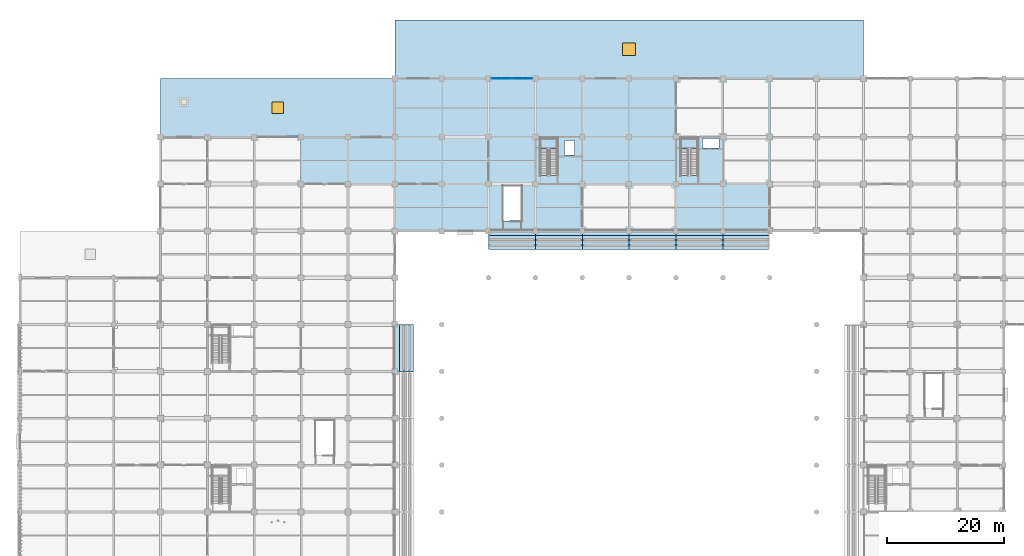
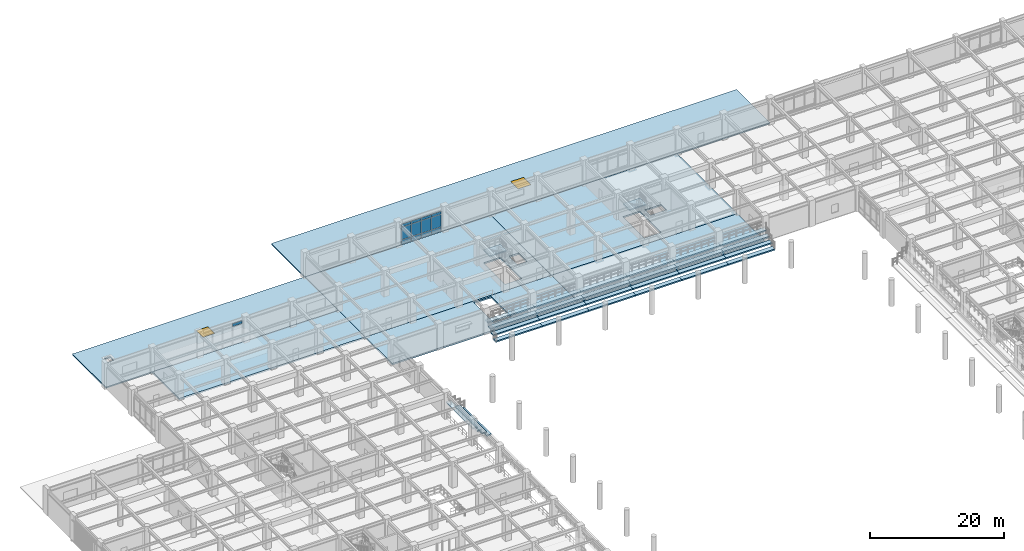
# One storey, part 67 of 117: 37 slabs, 13 plates, 2 windows, 2 openings, 4 elements without a shape of their own.
"""IFC4 building model written with IfcOpenShell, lengths in metres."""

from ifc_helpers import new_model, si_unit, direction, frame, origin, origin_2d, place, context, subcontext, project, spatial, polyline, rectangle, outline, extrude, material, layer, layer_set, type_object, element, fill, aggregate, save


model = new_model("IFC4")

# Units and contexts
model_context = context("Model", 3, precision=1e-05, world=origin(), true_north=direction((0.0, 1.0)))
body_context = subcontext(model_context, "Body", "Model", "MODEL_VIEW")
ifc_project = project(units=[si_unit("LENGTHUNIT", "METRE"), si_unit("AREAUNIT", "SQUARE_METRE"), si_unit("VOLUMEUNIT", "CUBIC_METRE"), si_unit("PLANEANGLEUNIT", "RADIAN"), si_unit("MASSUNIT", "GRAM", prefix="KILO")], contexts=[model_context])

# Site, building, storey
site_placement = place(None, origin())
site = spatial("IfcSite", under=ifc_project, at=site_placement, CompositionType="ELEMENT")
building_placement = place(site_placement, origin())
building = spatial("IfcBuilding", under=site, at=building_placement, Name="Haebicheon Civic Stadium", CompositionType="ELEMENT")
storey_placement = place(building_placement, frame((0.0, 0.0, 4.800048828125)))
storey = spatial("IfcBuildingStorey", under=building, at=storey_placement, Name="L02", CompositionType="ELEMENT", Elevation=4.800048828125)

# Curtain wall, plates
ifc_material_1 = material(Name="Anodised aluminium and laminated glass", Category="aluminium")
ifc_layer_1 = layer(ifc_material_1, 0.179931640625, Name="Anodised aluminium and laminated glass")
ifc_layer_set_1 = layer_set([ifc_layer_1], Name="Anodised aluminium and laminated glass")
curtain_wall_type_1 = type_object("IfcCurtainWallType", Name="CW-7000x3770", PredefinedType="NOTDEFINED", material=ifc_layer_set_1)
curtain_wall_1_placement = place(storey_placement, origin())
curtain_wall_1 = element("IfcCurtainWall", 1, at=curtain_wall_1_placement, inside=storey, type_object=curtain_wall_type_1, material=ifc_layer_set_1, Name="L02 unitised curtain wall 046", PredefinedType="NOTDEFINED")
ifc_material_2 = material(Name="Double low-e laminated glass", Category="glass")
ifc_layer_2 = layer(ifc_material_2, 0.028076171875, Name="Double low-e laminated glass")
ifc_layer_set_2 = layer_set([ifc_layer_2], Name="Double low-e laminated glass")
plate_type_1 = type_object("IfcPlateType", Name="CWP-GLZ-28", PredefinedType="CURTAIN_PANEL", material=ifc_layer_set_2)
plate_1_placement = place(storey_placement, frame((81.39208984375, 178.0, 0.93505859375), z_axis=(0.0, 0.0, 1.0), x_axis=(1.0, 0.0, 0.0)))
plate_1 = element("IfcPlate", 2, at=plate_1_placement, type_object=plate_type_1, material=ifc_layer_set_2, Name="CW-L02-046 vision panel 1.2", PredefinedType="CURTAIN_PANEL", context=body_context, shape_type="SweptSolid", body=[
    extrude(rectangle(XDim=1.64501953125, YDim=0.028076171875, at=origin_2d()), origin(), (0.0, 0.0, 1.0), 2.25),
])
plate_2_placement = place(storey_placement, frame((83.125, 178.0, 0.93505859375), z_axis=(0.0, 0.0, 1.0), x_axis=(1.0, 0.0, 0.0)))
plate_2 = element("IfcPlate", 3, at=plate_2_placement, type_object=plate_type_1, material=ifc_layer_set_2, Name="CW-L02-046 vision panel 2.2", PredefinedType="CURTAIN_PANEL", context=body_context, shape_type="SweptSolid", body=[
    extrude(rectangle(XDim=1.679931640625, YDim=0.028076171875, at=origin_2d()), origin(), (0.0, 0.0, 1.0), 2.25),
])
plate_3_placement = place(storey_placement, frame((84.875, 178.0, 0.93505859375), z_axis=(0.0, 0.0, 1.0), x_axis=(1.0, 0.0, 0.0)))
plate_3 = element("IfcPlate", 4, at=plate_3_placement, type_object=plate_type_1, material=ifc_layer_set_2, Name="CW-L02-046 vision panel 3.2", PredefinedType="CURTAIN_PANEL", context=body_context, shape_type="SweptSolid", body=[
    extrude(rectangle(XDim=1.679931640625, YDim=0.028076171875, at=origin_2d()), origin(), (0.0, 0.0, 1.0), 2.25),
])
plate_4_placement = place(storey_placement, frame((86.60791015625, 178.0, 0.93505859375), z_axis=(0.0, 0.0, 1.0), x_axis=(1.0, 0.0, 0.0)))
plate_4 = element("IfcPlate", 5, at=plate_4_placement, type_object=plate_type_1, material=ifc_layer_set_2, Name="CW-L02-046 vision panel 4.2", PredefinedType="CURTAIN_PANEL", context=body_context, shape_type="SweptSolid", body=[
    extrude(rectangle(XDim=1.64501953125, YDim=0.028076171875, at=origin_2d()), origin(), (0.0, 0.0, 1.0), 2.25),
])

# Curtain wall, plate
ifc_material_3 = material(Name="Anodised aluminium and laminated glass", Category="aluminium")
ifc_layer_3 = layer(ifc_material_3, 0.179931640625, Name="Anodised aluminium and laminated glass")
ifc_layer_set_3 = layer_set([ifc_layer_3], Name="Anodised aluminium and laminated glass")
curtain_wall_type_2 = type_object("IfcCurtainWallType", Name="CW-7000x3950", PredefinedType="NOTDEFINED", material=ifc_layer_set_3)
curtain_wall_2_placement = place(storey_placement, origin())
curtain_wall_2 = element("IfcCurtainWall", 6, at=curtain_wall_2_placement, inside=storey, type_object=curtain_wall_type_2, material=ifc_layer_set_3, Name="L02 unitised curtain wall 040", PredefinedType="NOTDEFINED")
ifc_material_4 = material(Name="Anodised aluminium 6063-T6", Category="aluminium")
ifc_layer_4 = layer(ifc_material_4, 0.053955078125, Name="Anodised aluminium 6063-T6")
ifc_layer_set_4 = layer_set([ifc_layer_4], Name="Anodised aluminium 6063-T6")
plate_type_2 = type_object("IfcPlateType", Name="CWP-SPD-54", PredefinedType="CURTAIN_PANEL", material=ifc_layer_set_4)
plate_5_placement = place(storey_placement, frame((46.60791015625, 168.0, 3.43505859375), z_axis=(0.0, 0.0, 1.0), x_axis=(1.0, 0.0, 0.0)))
plate_5 = element("IfcPlate", 7, at=plate_5_placement, type_object=plate_type_2, material=ifc_layer_set_4, Name="CW-L02-040 spandrel panel 4.3", PredefinedType="CURTAIN_PANEL", context=body_context, shape_type="SweptSolid", body=[
    extrude(rectangle(XDim=1.64501953125, YDim=0.053955078125, at=origin_2d()), origin(), (0.0, 0.0, 1.0), 0.47998046875),
])
aggregate(curtain_wall_2, [plate_5])

# Plate
plate_6_placement = place(storey_placement, frame((81.39208984375, 178.0, 0.034912109375), z_axis=(0.0, 0.0, 1.0), x_axis=(1.0, 0.0, 0.0)))
plate_6 = element("IfcPlate", 8, at=plate_6_placement, type_object=plate_type_2, material=ifc_layer_set_4, Name="CW-L02-046 spandrel panel 1.1", PredefinedType="CURTAIN_PANEL", context=body_context, shape_type="SweptSolid", body=[
    extrude(rectangle(XDim=1.64501953125, YDim=0.053955078125, at=origin_2d()), origin(), (0.0, 0.0, 1.0), 0.830078125),
])

plate_7_placement = place(storey_placement, frame((81.39208984375, 178.0, 3.2548828125), z_axis=(0.0, 0.0, 1.0), x_axis=(1.0, 0.0, 0.0)))
plate_7 = element("IfcPlate", 9, at=plate_7_placement, type_object=plate_type_2, material=ifc_layer_set_4, Name="CW-L02-046 spandrel panel 1.3", PredefinedType="CURTAIN_PANEL", context=body_context, shape_type="SweptSolid", body=[
    extrude(rectangle(XDim=1.64501953125, YDim=0.053955078125, at=origin_2d()), origin(), (0.0, 0.0, 1.0), 0.47998046875),
])

plate_8_placement = place(storey_placement, frame((83.125, 178.0, 0.034912109375), z_axis=(0.0, 0.0, 1.0), x_axis=(1.0, 0.0, 0.0)))
plate_8 = element("IfcPlate", 10, at=plate_8_placement, type_object=plate_type_2, material=ifc_layer_set_4, Name="CW-L02-046 spandrel panel 2.1", PredefinedType="CURTAIN_PANEL", context=body_context, shape_type="SweptSolid", body=[
    extrude(rectangle(XDim=1.679931640625, YDim=0.053955078125, at=origin_2d()), origin(), (0.0, 0.0, 1.0), 0.830078125),
])

plate_9_placement = place(storey_placement, frame((83.125, 178.0, 3.2548828125), z_axis=(0.0, 0.0, 1.0), x_axis=(1.0, 0.0, 0.0)))
plate_9 = element("IfcPlate", 11, at=plate_9_placement, type_object=plate_type_2, material=ifc_layer_set_4, Name="CW-L02-046 spandrel panel 2.3", PredefinedType="CURTAIN_PANEL", context=body_context, shape_type="SweptSolid", body=[
    extrude(rectangle(XDim=1.679931640625, YDim=0.053955078125, at=origin_2d()), origin(), (0.0, 0.0, 1.0), 0.47998046875),
])

plate_10_placement = place(storey_placement, frame((84.875, 178.0, 0.034912109375), z_axis=(0.0, 0.0, 1.0), x_axis=(1.0, 0.0, 0.0)))
plate_10 = element("IfcPlate", 12, at=plate_10_placement, type_object=plate_type_2, material=ifc_layer_set_4, Name="CW-L02-046 spandrel panel 3.1", PredefinedType="CURTAIN_PANEL", context=body_context, shape_type="SweptSolid", body=[
    extrude(rectangle(XDim=1.679931640625, YDim=0.053955078125, at=origin_2d()), origin(), (0.0, 0.0, 1.0), 0.830078125),
])

plate_11_placement = place(storey_placement, frame((84.875, 178.0, 3.2548828125), z_axis=(0.0, 0.0, 1.0), x_axis=(1.0, 0.0, 0.0)))
plate_11 = element("IfcPlate", 13, at=plate_11_placement, type_object=plate_type_2, material=ifc_layer_set_4, Name="CW-L02-046 spandrel panel 3.3", PredefinedType="CURTAIN_PANEL", context=body_context, shape_type="SweptSolid", body=[
    extrude(rectangle(XDim=1.679931640625, YDim=0.053955078125, at=origin_2d()), origin(), (0.0, 0.0, 1.0), 0.47998046875),
])

plate_12_placement = place(storey_placement, frame((86.60791015625, 178.0, 0.034912109375), z_axis=(0.0, 0.0, 1.0), x_axis=(1.0, 0.0, 0.0)))
plate_12 = element("IfcPlate", 14, at=plate_12_placement, type_object=plate_type_2, material=ifc_layer_set_4, Name="CW-L02-046 spandrel panel 4.1", PredefinedType="CURTAIN_PANEL", context=body_context, shape_type="SweptSolid", body=[
    extrude(rectangle(XDim=1.64501953125, YDim=0.053955078125, at=origin_2d()), origin(), (0.0, 0.0, 1.0), 0.830078125),
])

plate_13_placement = place(storey_placement, frame((86.60791015625, 178.0, 3.2548828125), z_axis=(0.0, 0.0, 1.0), x_axis=(1.0, 0.0, 0.0)))
plate_13 = element("IfcPlate", 15, at=plate_13_placement, type_object=plate_type_2, material=ifc_layer_set_4, Name="CW-L02-046 spandrel panel 4.3", PredefinedType="CURTAIN_PANEL", context=body_context, shape_type="SweptSolid", body=[
    extrude(rectangle(XDim=1.64501953125, YDim=0.053955078125, at=origin_2d()), origin(), (0.0, 0.0, 1.0), 0.47998046875),
])

aggregate(curtain_wall_1, [plate_6, plate_1, plate_7, plate_8, plate_2, plate_9, plate_10, plate_3, plate_11, plate_12, plate_4, plate_13])

# Slabs
ifc_material_5 = material(Name="Concrete C40/50", Category="concrete")
ifc_layer_5 = layer(ifc_material_5, 0.280029296875, Name="Concrete C40/50")
ifc_layer_set_5 = layer_set([ifc_layer_5], Name="Concrete C40/50")
slab_type_1 = type_object("IfcSlabType", Name="SLB-FLR-280", PredefinedType="FLOOR", material=ifc_layer_set_5)
slab_1_placement = place(storey_placement, frame((0.0, 0.0, -0.280029296875)))
element("IfcSlab", 16, at=slab_1_placement, inside=storey, type_object=slab_type_1, material=ifc_layer_set_5, Name="L02 V1 structural slab 12.1", PredefinedType="FLOOR", context=body_context, shape_type="SweptSolid", body=[
    extrude(outline(polyline([(32.0, 168.0), (40.0, 168.0), (48.0, 168.0), (56.0, 168.0), (64.0, 168.0), (64.0, 160.0), (56.0, 160.0), (48.0, 160.0), (40.0, 160.0), (32.0, 160.0), (32.0, 168.0)])), origin(), (0.0, 0.0, 1.0), 0.280029296875),
])
slab_2_placement = place(storey_placement, frame((0.0, 0.0, -0.280029296875)))
element("IfcSlab", 17, at=slab_2_placement, inside=storey, type_object=slab_type_1, material=ifc_layer_set_5, Name="L02 V2 structural slab 2.1", PredefinedType="FLOOR", context=body_context, shape_type="SweptSolid", body=[
    extrude(outline(polyline([(64.0, 160.0), (72.0, 160.0), (80.0, 160.0), (88.0, 160.0), (96.0, 160.0), (96.0, 152.0), (88.0, 152.0), (80.0, 152.0), (72.0, 152.0), (64.0, 152.0), (64.0, 160.0)]), holes=[polyline([(82.4599609375, 153.699951171875), (85.5, 153.699951171875), (85.5, 159.699951171875), (82.4599609375, 159.699951171875), (82.4599609375, 153.699951171875)])]), origin(), (0.0, 0.0, 1.0), 0.280029296875),
])
slab_3_placement = place(storey_placement, frame((0.0, 0.0, -0.280029296875)))
element("IfcSlab", 18, at=slab_3_placement, inside=storey, type_object=slab_type_1, material=ifc_layer_set_5, Name="L02 V2 structural slab 3.1", PredefinedType="FLOOR", context=body_context, shape_type="SweptSolid", body=[
    extrude(outline(polyline([(96.0, 160.0), (88.0, 160.0), (80.0, 160.0), (72.0, 160.0), (64.0, 160.0), (64.0, 168.0), (64.0, 178.0), (72.0, 178.0), (80.0, 178.0), (88.0, 178.0), (96.0, 178.0), (96.0, 168.0), (96.0, 160.0)]), holes=[polyline([(88.840087890625, 161.4599609375), (91.739990234375, 161.4599609375), (91.739990234375, 167.840087890625), (88.840087890625, 167.840087890625), (88.840087890625, 161.4599609375)]), polyline([(92.969970703125, 164.929931640625), (94.669921875, 164.929931640625), (94.669921875, 167.429931640625), (92.969970703125, 167.429931640625), (92.969970703125, 164.929931640625)])]), origin(), (0.0, 0.0, 1.0), 0.280029296875),
])
slab_4_placement = place(storey_placement, frame((0.0, 0.0, -0.280029296875)))
element("IfcSlab", 19, at=slab_4_placement, inside=storey, type_object=slab_type_1, material=ifc_layer_set_5, Name="L02 V2 structural slab 5.1", PredefinedType="FLOOR", context=body_context, shape_type="SweptSolid", body=[
    extrude(outline(polyline([(96.0, 160.0), (104.0, 160.0), (112.0, 160.0), (120.0, 160.0), (128.0, 160.0), (128.0, 152.0), (120.0, 152.0), (112.0, 152.0), (104.0, 152.0), (96.0, 152.0), (96.0, 160.0)])), origin(), (0.0, 0.0, 1.0), 0.280029296875),
])
slab_5_placement = place(storey_placement, frame((0.0, 0.0, -0.280029296875)))
element("IfcSlab", 20, at=slab_5_placement, inside=storey, type_object=slab_type_1, material=ifc_layer_set_5, Name="L02 V2 structural slab 6.1", PredefinedType="FLOOR", context=body_context, shape_type="SweptSolid", body=[
    extrude(outline(polyline([(128.0, 160.0), (120.0, 160.0), (112.0, 160.0), (104.0, 160.0), (96.0, 160.0), (96.0, 168.0), (96.0, 178.0), (104.0, 178.0), (112.0, 178.0), (120.0, 178.0), (128.0, 178.0), (128.0, 168.0), (128.0, 160.0)]), holes=[polyline([(112.840087890625, 161.4599609375), (115.739990234375, 161.4599609375), (115.739990234375, 167.840087890625), (112.840087890625, 167.840087890625), (112.840087890625, 161.4599609375)]), polyline([(116.550048828125, 166.14990234375), (119.35009765625, 166.14990234375), (119.35009765625, 167.75), (116.550048828125, 167.75), (116.550048828125, 166.14990234375)])]), origin(), (0.0, 0.0, 1.0), 0.280029296875),
])

# Stair, slab
ifc_material_6 = material(Name="Concrete C40/50", Category="concrete")
stair_type_1 = type_object("IfcStairType", Name="STR-DL-W128-H48", PredefinedType="HALF_TURN_STAIR", material=ifc_material_6)
stair_1_placement = place(storey_placement, origin())
stair_1 = element("IfcStair", 21, at=stair_1_placement, inside=storey, type_object=stair_type_1, material=ifc_material_6, Name="L02 Escape stair ST-08", PredefinedType="HALF_TURN_STAIR")
ifc_material_7 = material(Name="Concrete C40/50", Category="concrete")
ifc_layer_6 = layer(ifc_material_7, 0.199951171875, Name="Concrete C40/50")
ifc_layer_set_6 = layer_set([ifc_layer_6], Name="Concrete C40/50")
slab_type_2 = type_object("IfcSlabType", Name="SLB-LND-200", PredefinedType="LANDING", material=ifc_layer_set_6)
slab_6_placement = place(storey_placement, frame((0.0, 0.0, 2.199951171875)))
slab_6 = element("IfcSlab", 22, at=slab_6_placement, type_object=slab_type_2, material=ifc_layer_set_6, Name="ST-08 landing 1", PredefinedType="LANDING", context=body_context, shape_type="SweptSolid", body=[
    extrude(outline(polyline([(91.739990234375, 165.949951171875), (91.739990234375, 167.840087890625), (88.840087890625, 167.840087890625), (88.840087890625, 165.949951171875), (91.739990234375, 165.949951171875)])), origin(), (0.0, 0.0, 1.0), 0.199951171875),
])
aggregate(stair_1, [slab_6])

ifc_material_8 = material(Name="Concrete C40/50", Category="concrete")
stair_type_2 = type_object("IfcStairType", Name="STR-DL-W126-H48", PredefinedType="HALF_TURN_STAIR", material=ifc_material_8)
stair_2_placement = place(storey_placement, origin())
stair_2 = element("IfcStair", 23, at=stair_2_placement, inside=storey, type_object=stair_type_2, material=ifc_material_8, Name="L02 Escape stair ST-09", PredefinedType="HALF_TURN_STAIR")
slab_7_placement = place(storey_placement, frame((0.0, 0.0, 2.199951171875)))
slab_7 = element("IfcSlab", 24, at=slab_7_placement, type_object=slab_type_2, material=ifc_layer_set_6, Name="ST-09 landing 1", PredefinedType="LANDING", context=body_context, shape_type="SweptSolid", body=[
    extrude(outline(polyline([(115.739990234375, 165.949951171875), (115.739990234375, 167.840087890625), (112.840087890625, 167.840087890625), (112.840087890625, 165.949951171875), (115.739990234375, 165.949951171875)])), origin(), (0.0, 0.0, 1.0), 0.199951171875),
])
aggregate(stair_2, [slab_7])

# Slab, opening, window
ifc_material_9 = material(Name="Concrete C40/50", Category="concrete")
ifc_layer_7 = layer(ifc_material_9, 0.219970703125, Name="Concrete C40/50")
ifc_layer_set_7 = layer_set([ifc_layer_7], Name="Concrete C40/50")
slab_type_3 = type_object("IfcSlabType", Name="SLB-ROOF-220", PredefinedType="ROOF", material=ifc_layer_set_7)
slab_8_placement = place(storey_placement, frame((0.0, 0.0, -0.219970703125)))
slab_8 = element("IfcSlab", 25, at=slab_8_placement, inside=storey, type_object=slab_type_3, material=ifc_layer_set_7, Name="L02 V1 roof deck slab 2", PredefinedType="ROOF", context=body_context, shape_type="SweptSolid", body=[
    extrude(outline(polyline([(24.0, 178.0), (64.0, 178.0), (64.0, 168.0), (24.0, 168.0), (24.0, 178.0)]), holes=[polyline([(27.5, 173.5), (28.5, 173.5), (28.5, 174.5), (27.5, 174.5), (27.5, 173.5)])]), origin(), (0.0, 0.0, 1.0), 0.219970703125),
])
opening_1_placement = place(slab_8_placement, frame((44.0, 173.0, -0.010009765625)))
opening_1 = element("IfcOpeningElement", 26, at=opening_1_placement, cuts=slab_8, Name="Opening SKY-200x200", PredefinedType="OPENING", context=body_context, shape_type="SweptSolid", body=[
    extrude(rectangle(XDim=2.0, YDim=2.0, at=origin_2d()), origin(), (0.0, 0.0, 1.0), 0.239990234375),
])
ifc_material_10 = material(Name="Anodised aluminium and laminated glass", Category="aluminium")
window_type_1 = type_object("IfcWindowType", Name="SKY-200x200", PartitioningType="SINGLE_PANEL", PredefinedType="SKYLIGHT", material=ifc_material_10)
window_1_placement = place(slab_8_placement, frame((44.0, 173.0, 0.169921875)))
window_1 = element("IfcWindow", 27, at=window_1_placement, inside=storey, type_object=window_type_1, material=ifc_material_10, Name="L02 glazed roof skylight 02", OverallHeight=2.0, OverallWidth=2.0, PartitioningType="SINGLE_PANEL", PredefinedType="SKYLIGHT", context=body_context, shape_type="SweptSolid", body=[
    extrude(rectangle(XDim=2.0, YDim=2.0, at=origin_2d()), origin(), (0.0, 0.0, 1.0), 0.050048828125),
])
fill(opening_1, window_1)

slab_9_placement = place(storey_placement, frame((0.0, 0.0, -0.219970703125)))
slab_9 = element("IfcSlab", 28, at=slab_9_placement, inside=storey, type_object=slab_type_3, material=ifc_layer_set_7, Name="L02 V2 roof deck slab 1", PredefinedType="ROOF", context=body_context, shape_type="SweptSolid", body=[
    extrude(outline(polyline([(64.0, 188.0), (144.0, 188.0), (144.0, 178.0), (64.0, 178.0), (64.0, 188.0)])), origin(), (0.0, 0.0, 1.0), 0.219970703125),
])
opening_2_placement = place(slab_9_placement, frame((104.0, 183.0, -0.010009765625)))
opening_2 = element("IfcOpeningElement", 29, at=opening_2_placement, cuts=slab_9, Name="Opening SKY-220x220", PredefinedType="OPENING", context=body_context, shape_type="SweptSolid", body=[
    extrude(rectangle(XDim=2.199951171875, YDim=2.199951171875, at=origin_2d()), origin(), (0.0, 0.0, 1.0), 0.239990234375),
])
ifc_material_11 = material(Name="Anodised aluminium and laminated glass", Category="aluminium")
window_type_2 = type_object("IfcWindowType", Name="SKY-220x220", PartitioningType="SINGLE_PANEL", PredefinedType="SKYLIGHT", material=ifc_material_11)
window_2_placement = place(slab_9_placement, frame((104.0, 183.0, 0.169921875)))
window_2 = element("IfcWindow", 30, at=window_2_placement, inside=storey, type_object=window_type_2, material=ifc_material_11, Name="L02 glazed roof skylight 03", OverallHeight=2.199951171875, OverallWidth=2.199951171875, PartitioningType="SINGLE_PANEL", PredefinedType="SKYLIGHT", context=body_context, shape_type="SweptSolid", body=[
    extrude(rectangle(XDim=2.199951171875, YDim=2.199951171875, at=origin_2d()), origin(), (0.0, 0.0, 1.0), 0.050048828125),
])
fill(opening_2, window_2)

# Slabs
ifc_material_12 = material(Name="Precast concrete C40/50", Category="concrete")
ifc_layer_8 = layer(ifc_material_12, 0.239990234375, Name="Precast concrete C40/50")
ifc_layer_set_8 = layer_set([ifc_layer_8], Name="Precast concrete C40/50")
slab_type_4 = type_object("IfcSlabType", Name="SLB-TIER-240", PredefinedType="USERDEFINED", material=ifc_layer_set_8)
slab_10_placement = place(storey_placement, frame((0.0, 0.0, 0.427001953125)))
element("IfcSlab", 31, at=slab_10_placement, inside=storey, type_object=slab_type_4, material=ifc_layer_set_8, Name="TIER-W-L precast seating tier bay 11 row-band 7", ObjectType="SEATING TIER", PredefinedType="USERDEFINED", context=body_context, shape_type="SweptSolid", body=[
    extrude(outline(polyline([(66.39990234375, 128.0), (67.199951171875, 128.0), (67.199951171875, 136.0), (66.39990234375, 136.0), (66.39990234375, 128.0)])), origin(), (0.0, 0.0, 1.0), 0.239990234375),
])
slab_11_placement = place(storey_placement, frame((0.0, 0.0, 1.137939453125)))
element("IfcSlab", 32, at=slab_11_placement, inside=storey, type_object=slab_type_4, material=ifc_layer_set_8, Name="TIER-W-L precast seating tier bay 11 row-band 8", ObjectType="SEATING TIER", PredefinedType="USERDEFINED", context=body_context, shape_type="SweptSolid", body=[
    extrude(outline(polyline([(65.60009765625, 128.0), (66.39990234375, 128.0), (66.39990234375, 136.0), (65.60009765625, 136.0), (65.60009765625, 128.0)])), origin(), (0.0, 0.0, 1.0), 0.239990234375),
])
slab_12_placement = place(storey_placement, frame((0.0, 0.0, 1.848876953125)))
element("IfcSlab", 33, at=slab_12_placement, inside=storey, type_object=slab_type_4, material=ifc_layer_set_8, Name="TIER-W-L precast seating tier bay 11 row-band 9", ObjectType="SEATING TIER", PredefinedType="USERDEFINED", context=body_context, shape_type="SweptSolid", body=[
    extrude(outline(polyline([(64.800048828125, 128.0), (65.60009765625, 128.0), (65.60009765625, 136.0), (64.800048828125, 136.0), (64.800048828125, 128.0)])), origin(), (0.0, 0.0, 1.0), 0.239990234375),
])
slab_13_placement = place(storey_placement, frame((0.0, 0.0, 2.56005859375)))
element("IfcSlab", 34, at=slab_13_placement, inside=storey, type_object=slab_type_4, material=ifc_layer_set_8, Name="TIER-W-L precast seating tier bay 11 row-band 10", ObjectType="SEATING TIER", PredefinedType="USERDEFINED", context=body_context, shape_type="SweptSolid", body=[
    extrude(outline(polyline([(64.0, 128.0), (64.800048828125, 128.0), (64.800048828125, 136.0), (64.0, 136.0), (64.0, 128.0)])), origin(), (0.0, 0.0, 1.0), 0.239990234375),
])
slab_14_placement = place(storey_placement, frame((0.0, 0.0, 0.159912109375)))
element("IfcSlab", 35, at=slab_14_placement, inside=storey, type_object=slab_type_4, material=ifc_layer_set_8, Name="TIER-N-L precast seating tier bay 1 row-band 7", ObjectType="SEATING TIER", PredefinedType="USERDEFINED", context=body_context, shape_type="SweptSolid", body=[
    extrude(outline(polyline([(80.0, 148.800048828125), (88.0, 148.800048828125), (88.0, 149.60009765625), (80.0, 149.60009765625), (80.0, 148.800048828125)])), origin(), (0.0, 0.0, 1.0), 0.239990234375),
])
slab_15_placement = place(storey_placement, frame((0.0, 0.0, 0.826904296875)))
element("IfcSlab", 36, at=slab_15_placement, inside=storey, type_object=slab_type_4, material=ifc_layer_set_8, Name="TIER-N-L precast seating tier bay 1 row-band 8", ObjectType="SEATING TIER", PredefinedType="USERDEFINED", context=body_context, shape_type="SweptSolid", body=[
    extrude(outline(polyline([(80.0, 149.60009765625), (88.0, 149.60009765625), (88.0, 150.39990234375), (80.0, 150.39990234375), (80.0, 149.60009765625)])), origin(), (0.0, 0.0, 1.0), 0.239990234375),
])
slab_16_placement = place(storey_placement, frame((0.0, 0.0, 1.492919921875)))
element("IfcSlab", 37, at=slab_16_placement, inside=storey, type_object=slab_type_4, material=ifc_layer_set_8, Name="TIER-N-L precast seating tier bay 1 row-band 9", ObjectType="SEATING TIER", PredefinedType="USERDEFINED", context=body_context, shape_type="SweptSolid", body=[
    extrude(outline(polyline([(80.0, 150.39990234375), (88.0, 150.39990234375), (88.0, 151.199951171875), (80.0, 151.199951171875), (80.0, 150.39990234375)])), origin(), (0.0, 0.0, 1.0), 0.239990234375),
])
slab_17_placement = place(storey_placement, frame((0.0, 0.0, 2.159912109375)))
element("IfcSlab", 38, at=slab_17_placement, inside=storey, type_object=slab_type_4, material=ifc_layer_set_8, Name="TIER-N-L precast seating tier bay 1 row-band 10", ObjectType="SEATING TIER", PredefinedType="USERDEFINED", context=body_context, shape_type="SweptSolid", body=[
    extrude(outline(polyline([(80.0, 151.199951171875), (88.0, 151.199951171875), (88.0, 152.0), (80.0, 152.0), (80.0, 151.199951171875)])), origin(), (0.0, 0.0, 1.0), 0.239990234375),
])
slab_18_placement = place(storey_placement, frame((0.0, 0.0, 0.159912109375)))
element("IfcSlab", 39, at=slab_18_placement, inside=storey, type_object=slab_type_4, material=ifc_layer_set_8, Name="TIER-N-L precast seating tier bay 2 row-band 7", ObjectType="SEATING TIER", PredefinedType="USERDEFINED", context=body_context, shape_type="SweptSolid", body=[
    extrude(outline(polyline([(88.0, 148.800048828125), (96.0, 148.800048828125), (96.0, 149.60009765625), (88.0, 149.60009765625), (88.0, 148.800048828125)])), origin(), (0.0, 0.0, 1.0), 0.239990234375),
])
slab_19_placement = place(storey_placement, frame((0.0, 0.0, 0.826904296875)))
element("IfcSlab", 40, at=slab_19_placement, inside=storey, type_object=slab_type_4, material=ifc_layer_set_8, Name="TIER-N-L precast seating tier bay 2 row-band 8", ObjectType="SEATING TIER", PredefinedType="USERDEFINED", context=body_context, shape_type="SweptSolid", body=[
    extrude(outline(polyline([(88.0, 149.60009765625), (96.0, 149.60009765625), (96.0, 150.39990234375), (88.0, 150.39990234375), (88.0, 149.60009765625)])), origin(), (0.0, 0.0, 1.0), 0.239990234375),
])
slab_20_placement = place(storey_placement, frame((0.0, 0.0, 1.492919921875)))
element("IfcSlab", 41, at=slab_20_placement, inside=storey, type_object=slab_type_4, material=ifc_layer_set_8, Name="TIER-N-L precast seating tier bay 2 row-band 9", ObjectType="SEATING TIER", PredefinedType="USERDEFINED", context=body_context, shape_type="SweptSolid", body=[
    extrude(outline(polyline([(88.0, 150.39990234375), (96.0, 150.39990234375), (96.0, 151.199951171875), (88.0, 151.199951171875), (88.0, 150.39990234375)])), origin(), (0.0, 0.0, 1.0), 0.239990234375),
])
slab_21_placement = place(storey_placement, frame((0.0, 0.0, 2.159912109375)))
element("IfcSlab", 42, at=slab_21_placement, inside=storey, type_object=slab_type_4, material=ifc_layer_set_8, Name="TIER-N-L precast seating tier bay 2 row-band 10", ObjectType="SEATING TIER", PredefinedType="USERDEFINED", context=body_context, shape_type="SweptSolid", body=[
    extrude(outline(polyline([(88.0, 151.199951171875), (96.0, 151.199951171875), (96.0, 152.0), (88.0, 152.0), (88.0, 151.199951171875)])), origin(), (0.0, 0.0, 1.0), 0.239990234375),
])
slab_22_placement = place(storey_placement, frame((0.0, 0.0, 0.159912109375)))
element("IfcSlab", 43, at=slab_22_placement, inside=storey, type_object=slab_type_4, material=ifc_layer_set_8, Name="TIER-N-L precast seating tier bay 3 row-band 7", ObjectType="SEATING TIER", PredefinedType="USERDEFINED", context=body_context, shape_type="SweptSolid", body=[
    extrude(outline(polyline([(96.0, 148.800048828125), (104.0, 148.800048828125), (104.0, 149.60009765625), (96.0, 149.60009765625), (96.0, 148.800048828125)])), origin(), (0.0, 0.0, 1.0), 0.239990234375),
])
slab_23_placement = place(storey_placement, frame((0.0, 0.0, 0.826904296875)))
element("IfcSlab", 44, at=slab_23_placement, inside=storey, type_object=slab_type_4, material=ifc_layer_set_8, Name="TIER-N-L precast seating tier bay 3 row-band 8", ObjectType="SEATING TIER", PredefinedType="USERDEFINED", context=body_context, shape_type="SweptSolid", body=[
    extrude(outline(polyline([(96.0, 149.60009765625), (104.0, 149.60009765625), (104.0, 150.39990234375), (96.0, 150.39990234375), (96.0, 149.60009765625)])), origin(), (0.0, 0.0, 1.0), 0.239990234375),
])
slab_24_placement = place(storey_placement, frame((0.0, 0.0, 1.492919921875)))
element("IfcSlab", 45, at=slab_24_placement, inside=storey, type_object=slab_type_4, material=ifc_layer_set_8, Name="TIER-N-L precast seating tier bay 3 row-band 9", ObjectType="SEATING TIER", PredefinedType="USERDEFINED", context=body_context, shape_type="SweptSolid", body=[
    extrude(outline(polyline([(96.0, 150.39990234375), (104.0, 150.39990234375), (104.0, 151.199951171875), (96.0, 151.199951171875), (96.0, 150.39990234375)])), origin(), (0.0, 0.0, 1.0), 0.239990234375),
])
slab_25_placement = place(storey_placement, frame((0.0, 0.0, 2.159912109375)))
element("IfcSlab", 46, at=slab_25_placement, inside=storey, type_object=slab_type_4, material=ifc_layer_set_8, Name="TIER-N-L precast seating tier bay 3 row-band 10", ObjectType="SEATING TIER", PredefinedType="USERDEFINED", context=body_context, shape_type="SweptSolid", body=[
    extrude(outline(polyline([(96.0, 151.199951171875), (104.0, 151.199951171875), (104.0, 152.0), (96.0, 152.0), (96.0, 151.199951171875)])), origin(), (0.0, 0.0, 1.0), 0.239990234375),
])
slab_26_placement = place(storey_placement, frame((0.0, 0.0, 0.159912109375)))
element("IfcSlab", 47, at=slab_26_placement, inside=storey, type_object=slab_type_4, material=ifc_layer_set_8, Name="TIER-N-L precast seating tier bay 4 row-band 7", ObjectType="SEATING TIER", PredefinedType="USERDEFINED", context=body_context, shape_type="SweptSolid", body=[
    extrude(outline(polyline([(104.0, 148.800048828125), (112.0, 148.800048828125), (112.0, 149.60009765625), (104.0, 149.60009765625), (104.0, 148.800048828125)])), origin(), (0.0, 0.0, 1.0), 0.239990234375),
])
slab_27_placement = place(storey_placement, frame((0.0, 0.0, 0.826904296875)))
element("IfcSlab", 48, at=slab_27_placement, inside=storey, type_object=slab_type_4, material=ifc_layer_set_8, Name="TIER-N-L precast seating tier bay 4 row-band 8", ObjectType="SEATING TIER", PredefinedType="USERDEFINED", context=body_context, shape_type="SweptSolid", body=[
    extrude(outline(polyline([(104.0, 149.60009765625), (112.0, 149.60009765625), (112.0, 150.39990234375), (104.0, 150.39990234375), (104.0, 149.60009765625)])), origin(), (0.0, 0.0, 1.0), 0.239990234375),
])
slab_28_placement = place(storey_placement, frame((0.0, 0.0, 1.492919921875)))
element("IfcSlab", 49, at=slab_28_placement, inside=storey, type_object=slab_type_4, material=ifc_layer_set_8, Name="TIER-N-L precast seating tier bay 4 row-band 9", ObjectType="SEATING TIER", PredefinedType="USERDEFINED", context=body_context, shape_type="SweptSolid", body=[
    extrude(outline(polyline([(104.0, 150.39990234375), (112.0, 150.39990234375), (112.0, 151.199951171875), (104.0, 151.199951171875), (104.0, 150.39990234375)])), origin(), (0.0, 0.0, 1.0), 0.239990234375),
])
slab_29_placement = place(storey_placement, frame((0.0, 0.0, 2.159912109375)))
element("IfcSlab", 50, at=slab_29_placement, inside=storey, type_object=slab_type_4, material=ifc_layer_set_8, Name="TIER-N-L precast seating tier bay 4 row-band 10", ObjectType="SEATING TIER", PredefinedType="USERDEFINED", context=body_context, shape_type="SweptSolid", body=[
    extrude(outline(polyline([(104.0, 151.199951171875), (112.0, 151.199951171875), (112.0, 152.0), (104.0, 152.0), (104.0, 151.199951171875)])), origin(), (0.0, 0.0, 1.0), 0.239990234375),
])
slab_30_placement = place(storey_placement, frame((0.0, 0.0, 0.159912109375)))
element("IfcSlab", 51, at=slab_30_placement, inside=storey, type_object=slab_type_4, material=ifc_layer_set_8, Name="TIER-N-L precast seating tier bay 5 row-band 7", ObjectType="SEATING TIER", PredefinedType="USERDEFINED", context=body_context, shape_type="SweptSolid", body=[
    extrude(outline(polyline([(112.0, 148.800048828125), (120.0, 148.800048828125), (120.0, 149.60009765625), (112.0, 149.60009765625), (112.0, 148.800048828125)])), origin(), (0.0, 0.0, 1.0), 0.239990234375),
])
slab_31_placement = place(storey_placement, frame((0.0, 0.0, 0.826904296875)))
element("IfcSlab", 52, at=slab_31_placement, inside=storey, type_object=slab_type_4, material=ifc_layer_set_8, Name="TIER-N-L precast seating tier bay 5 row-band 8", ObjectType="SEATING TIER", PredefinedType="USERDEFINED", context=body_context, shape_type="SweptSolid", body=[
    extrude(outline(polyline([(112.0, 149.60009765625), (120.0, 149.60009765625), (120.0, 150.39990234375), (112.0, 150.39990234375), (112.0, 149.60009765625)])), origin(), (0.0, 0.0, 1.0), 0.239990234375),
])
slab_32_placement = place(storey_placement, frame((0.0, 0.0, 1.492919921875)))
element("IfcSlab", 53, at=slab_32_placement, inside=storey, type_object=slab_type_4, material=ifc_layer_set_8, Name="TIER-N-L precast seating tier bay 5 row-band 9", ObjectType="SEATING TIER", PredefinedType="USERDEFINED", context=body_context, shape_type="SweptSolid", body=[
    extrude(outline(polyline([(112.0, 150.39990234375), (120.0, 150.39990234375), (120.0, 151.199951171875), (112.0, 151.199951171875), (112.0, 150.39990234375)])), origin(), (0.0, 0.0, 1.0), 0.239990234375),
])
slab_33_placement = place(storey_placement, frame((0.0, 0.0, 2.159912109375)))
element("IfcSlab", 54, at=slab_33_placement, inside=storey, type_object=slab_type_4, material=ifc_layer_set_8, Name="TIER-N-L precast seating tier bay 5 row-band 10", ObjectType="SEATING TIER", PredefinedType="USERDEFINED", context=body_context, shape_type="SweptSolid", body=[
    extrude(outline(polyline([(112.0, 151.199951171875), (120.0, 151.199951171875), (120.0, 152.0), (112.0, 152.0), (112.0, 151.199951171875)])), origin(), (0.0, 0.0, 1.0), 0.239990234375),
])
slab_34_placement = place(storey_placement, frame((0.0, 0.0, 0.159912109375)))
element("IfcSlab", 55, at=slab_34_placement, inside=storey, type_object=slab_type_4, material=ifc_layer_set_8, Name="TIER-N-L precast seating tier bay 6 row-band 7", ObjectType="SEATING TIER", PredefinedType="USERDEFINED", context=body_context, shape_type="SweptSolid", body=[
    extrude(outline(polyline([(120.0, 148.800048828125), (128.0, 148.800048828125), (128.0, 149.60009765625), (120.0, 149.60009765625), (120.0, 148.800048828125)])), origin(), (0.0, 0.0, 1.0), 0.239990234375),
])
slab_35_placement = place(storey_placement, frame((0.0, 0.0, 0.826904296875)))
element("IfcSlab", 56, at=slab_35_placement, inside=storey, type_object=slab_type_4, material=ifc_layer_set_8, Name="TIER-N-L precast seating tier bay 6 row-band 8", ObjectType="SEATING TIER", PredefinedType="USERDEFINED", context=body_context, shape_type="SweptSolid", body=[
    extrude(outline(polyline([(120.0, 149.60009765625), (128.0, 149.60009765625), (128.0, 150.39990234375), (120.0, 150.39990234375), (120.0, 149.60009765625)])), origin(), (0.0, 0.0, 1.0), 0.239990234375),
])
slab_36_placement = place(storey_placement, frame((0.0, 0.0, 1.492919921875)))
element("IfcSlab", 57, at=slab_36_placement, inside=storey, type_object=slab_type_4, material=ifc_layer_set_8, Name="TIER-N-L precast seating tier bay 6 row-band 9", ObjectType="SEATING TIER", PredefinedType="USERDEFINED", context=body_context, shape_type="SweptSolid", body=[
    extrude(outline(polyline([(120.0, 150.39990234375), (128.0, 150.39990234375), (128.0, 151.199951171875), (120.0, 151.199951171875), (120.0, 150.39990234375)])), origin(), (0.0, 0.0, 1.0), 0.239990234375),
])
slab_37_placement = place(storey_placement, frame((0.0, 0.0, 2.159912109375)))
element("IfcSlab", 58, at=slab_37_placement, inside=storey, type_object=slab_type_4, material=ifc_layer_set_8, Name="TIER-N-L precast seating tier bay 6 row-band 10", ObjectType="SEATING TIER", PredefinedType="USERDEFINED", context=body_context, shape_type="SweptSolid", body=[
    extrude(outline(polyline([(120.0, 151.199951171875), (128.0, 151.199951171875), (128.0, 152.0), (120.0, 152.0), (120.0, 151.199951171875)])), origin(), (0.0, 0.0, 1.0), 0.239990234375),
])

save(model, "model.ifc")
